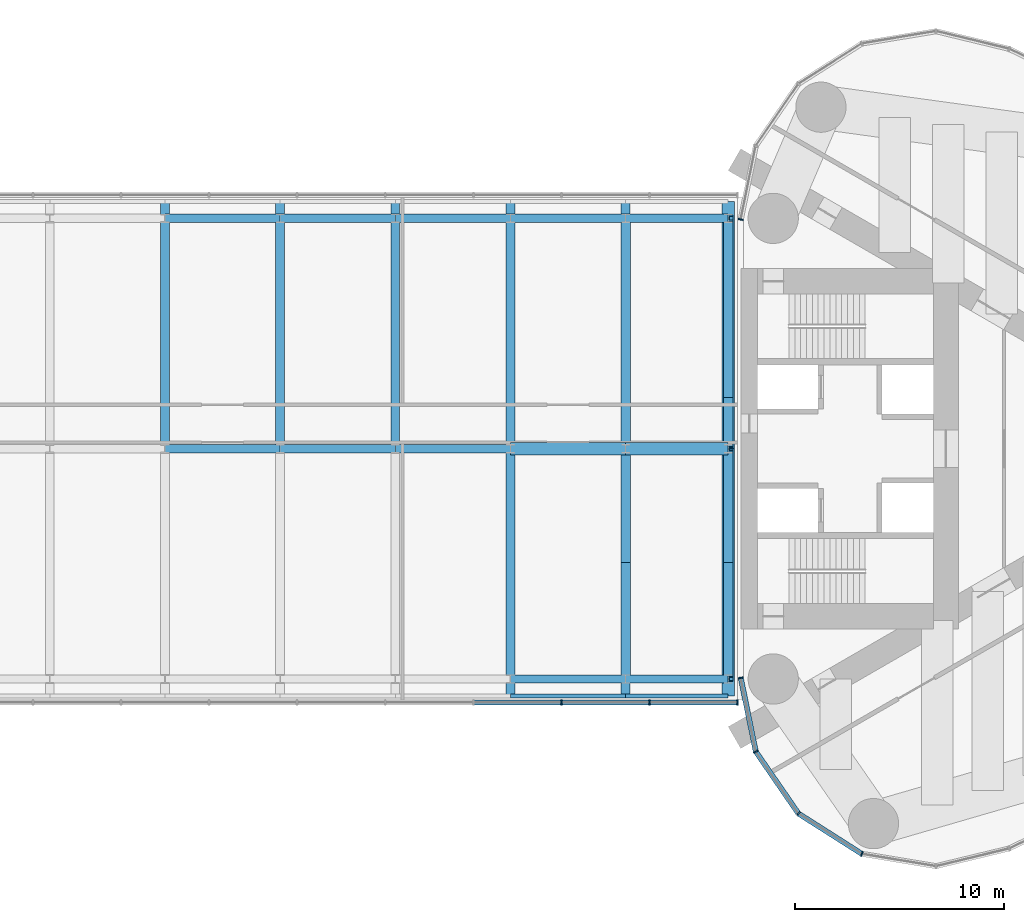
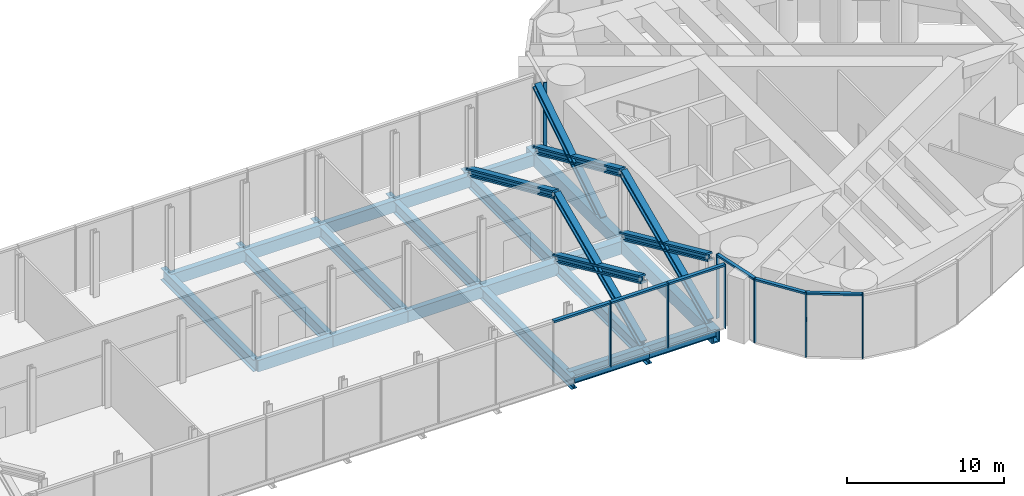
# One storey, part 8 of 19: 23 beams, 21 members, 2 elements without a shape of their own.
"""IFC4 building model written with IfcOpenShell, lengths in metres."""

from ifc_helpers import new_model, si_unit, direction, frame, origin, origin_2d, place, context, subcontext, project, spatial, rectangle, hollow_rectangle, i_section, extrude, material, material_profile, profile_set, type_object, element, aggregate, save


model = new_model("IFC4")

# Units and contexts
model_context = context("Model", 3, precision=1e-05, world=origin(), true_north=direction((0.0, 1.0)))
body_context = subcontext(model_context, "Body", "Model", "MODEL_VIEW")
ifc_project = project(units=[si_unit("LENGTHUNIT", "METRE"), si_unit("AREAUNIT", "SQUARE_METRE"), si_unit("VOLUMEUNIT", "CUBIC_METRE"), si_unit("PLANEANGLEUNIT", "RADIAN"), si_unit("MASSUNIT", "GRAM", prefix="KILO")], contexts=[model_context])

# Site, building, storey
site_placement = place(None, origin())
site = spatial("IfcSite", under=ifc_project, at=site_placement, CompositionType="ELEMENT")
building_placement = place(site_placement, origin())
building = spatial("IfcBuilding", under=site, at=building_placement, Name="Lancet Gate Hotel", CompositionType="ELEMENT")
storey_placement = place(building_placement, frame((0.0, 0.0, 263.300048828125)))
storey = spatial("IfcBuildingStorey", under=building, at=storey_placement, Name="L69", CompositionType="ELEMENT", Elevation=263.300048828125)

# Curtain wall, members
ifc_material_1 = material(Name="Aluminium curtain wall", Category="aluminium")
curtain_wall_type = type_object("IfcCurtainWallType", Name="Lantern crown glazing", PredefinedType="USERDEFINED", material=ifc_material_1)
curtain_wall_1_placement = place(storey_placement, origin())
curtain_wall_1 = element("IfcCurtainWall", 1, at=curtain_wall_1_placement, inside=storey, type_object=curtain_wall_type, Name="T2 L69 curtain wall 1", ObjectType="LANTERN GLAZING", PredefinedType="USERDEFINED")
ifc_material_2 = material(Name="Aluminium mullion", Category="aluminium")
ifc_material_profile_1 = material_profile(ifc_material_2, rectangle(XDim=0.06494140625, YDim=0.25, at=origin_2d()), Name="MULLION 65x250")
ifc_profile_set_1 = profile_set([ifc_material_profile_1], Name="Aluminium mullion")
member_type_1 = type_object("IfcMemberType", Name="Aluminium mullion 65x250", PredefinedType="MULLION", material=ifc_profile_set_1)
member_1_placement = place(storey_placement, frame((27.5, -10.947998046875, 0.0), z_axis=(0.0, 0.0, 1.0), x_axis=(0.199533486841, -0.979891008036, 0.0)))
member_1 = element("IfcMember", 2, at=member_1_placement, type_object=member_type_1, Name="T2 L69 curtain wall 1 mullion 1", PredefinedType="MULLION", context=body_context, shape_type="SweptSolid", body=[
    extrude(rectangle(XDim=0.06494140625, YDim=0.25, at=origin_2d()), origin(), (0.0, 0.0, 1.0), 5.0),
])
member_2_placement = place(storey_placement, frame((28.216552734375, -14.467529296875, 0.0), z_axis=(0.0, 0.0, 1.0), x_axis=(0.391042139098, -0.920372775265, 0.0)))
member_2 = element("IfcMember", 3, at=member_2_placement, type_object=member_type_1, Name="T2 L69 curtain wall 1 mullion 2", PredefinedType="MULLION", context=body_context, shape_type="SweptSolid", body=[
    extrude(rectangle(XDim=0.06494140625, YDim=0.25, at=origin_2d()), origin(), (0.0, 0.0, 1.0), 5.0),
])
member_3_placement = place(storey_placement, frame((30.25244140625, -17.42626953125, 0.0), z_axis=(0.0, 0.0, 1.0), x_axis=(0.719809077627, -0.694172090886, 0.0)))
member_3 = element("IfcMember", 4, at=member_3_placement, type_object=member_type_1, Name="T2 L69 curtain wall 1 mullion 3", PredefinedType="MULLION", context=body_context, shape_type="SweptSolid", body=[
    extrude(rectangle(XDim=0.06494140625, YDim=0.25, at=origin_2d()), origin(), (0.0, 0.0, 1.0), 5.0),
])
member_4_placement = place(storey_placement, frame((33.283203125, -19.353515625, 0.0), z_axis=(0.0, 0.0, 1.0), x_axis=(0.93394321776, -0.357421412343, 0.0)))
member_4 = element("IfcMember", 5, at=member_4_placement, type_object=member_type_1, Name="T2 L69 curtain wall 1 mullion 4", PredefinedType="MULLION", context=body_context, shape_type="SweptSolid", body=[
    extrude(rectangle(XDim=0.06494140625, YDim=0.25, at=origin_2d()), origin(), (0.0, 0.0, 1.0), 5.0),
])
member_5_placement = place(storey_placement, frame((27.5, 10.947998046875, 0.0), z_axis=(0.0, 0.0, 1.0), x_axis=(-0.199533486841, -0.979891008036, 0.0)))
member_5 = element("IfcMember", 6, at=member_5_placement, type_object=member_type_1, Name="T2 L69 curtain wall 1 mullion 27", PredefinedType="MULLION", context=body_context, shape_type="SweptSolid", body=[
    extrude(rectangle(XDim=0.06494140625, YDim=0.25, at=origin_2d()), origin(), (0.0, 0.0, 1.0), 5.0),
])

curtain_wall_2_placement = place(storey_placement, origin())
curtain_wall_2 = element("IfcCurtainWall", 7, at=curtain_wall_2_placement, inside=storey, type_object=curtain_wall_type, Name="Bridge block L69 curtain wall S", ObjectType="LANTERN GLAZING", PredefinedType="USERDEFINED")
member_6_placement = place(storey_placement, frame((18.9345703125, -12.1201171875, 0.0), z_axis=(0.0, 0.0, 1.0), x_axis=(1.0, 0.0, 0.0)))
member_6 = element("IfcMember", 8, at=member_6_placement, type_object=member_type_1, Name="Bridge block L69 curtain wall S mullion 12", PredefinedType="MULLION", context=body_context, shape_type="SweptSolid", body=[
    extrude(rectangle(XDim=0.06494140625, YDim=0.25, at=origin_2d()), origin(), (0.0, 0.0, 1.0), 5.0),
])
member_7_placement = place(storey_placement, frame((23.142333984375, -12.1201171875, 0.0), z_axis=(0.0, 0.0, 1.0), x_axis=(1.0, 0.0, 0.0)))
member_7 = element("IfcMember", 9, at=member_7_placement, type_object=member_type_1, Name="Bridge block L69 curtain wall S mullion 13", PredefinedType="MULLION", context=body_context, shape_type="SweptSolid", body=[
    extrude(rectangle(XDim=0.06494140625, YDim=0.25, at=origin_2d()), origin(), (0.0, 0.0, 1.0), 5.0),
])
member_8_placement = place(storey_placement, frame((27.35009765625, -12.1201171875, 0.0), z_axis=(0.0, 0.0, 1.0), x_axis=(1.0, 0.0, 0.0)))
member_8 = element("IfcMember", 10, at=member_8_placement, type_object=member_type_1, Name="Bridge block L69 curtain wall S mullion 14", PredefinedType="MULLION", context=body_context, shape_type="SweptSolid", body=[
    extrude(rectangle(XDim=0.06494140625, YDim=0.25, at=origin_2d()), origin(), (0.0, 0.0, 1.0), 5.0),
])

# Member
ifc_material_3 = material(Name="Aluminium transom", Category="aluminium")
ifc_material_profile_2 = material_profile(ifc_material_3, rectangle(XDim=0.25, YDim=0.14990234375, at=origin_2d()), Name="TRANSOM 250x150")
ifc_profile_set_2 = profile_set([ifc_material_profile_2], Name="Aluminium transom")
member_type_2 = type_object("IfcMemberType", Name="Aluminium transom 250x150", PredefinedType="USERDEFINED", material=ifc_profile_set_2)
member_9_placement = place(storey_placement, frame((27.506591796875, -10.97998046875, 4.925048828125), z_axis=(0.19952323725, -0.979893095086, 0.0), x_axis=(0.979893095086, 0.19952323725, 0.0)))
member_9 = element("IfcMember", 11, at=member_9_placement, type_object=member_type_2, Name="T2 L69 curtain wall 1 transom 1", ObjectType="TRANSOM", PredefinedType="USERDEFINED", context=body_context, shape_type="SweptSolid", body=[
    extrude(rectangle(XDim=0.25, YDim=0.14990234375, at=origin_2d()), origin(), (0.0, 0.0, 1.0), 3.5263671875),
])

member_10_placement = place(storey_placement, frame((28.235107421875, -14.494140625, 4.925048828125), z_axis=(0.566813768052, -0.82384595183, 0.0), x_axis=(0.82384595183, 0.566813768052, 0.0)))
member_10 = element("IfcMember", 12, at=member_10_placement, type_object=member_type_2, Name="T2 L69 curtain wall 1 transom 2", ObjectType="TRANSOM", PredefinedType="USERDEFINED", context=body_context, shape_type="SweptSolid", body=[
    extrude(rectangle(XDim=0.25, YDim=0.14990234375, at=origin_2d()), origin(), (0.0, 0.0, 1.0), 3.52685546875),
])

member_11_placement = place(storey_placement, frame((30.27978515625, -17.44384765625, 4.925048828125), z_axis=(0.84385811281, -0.536566384938, 0.0), x_axis=(0.536566384938, 0.84385811281, 0.0)))
member_11 = element("IfcMember", 13, at=member_11_placement, type_object=member_type_2, Name="T2 L69 curtain wall 1 transom 3", ObjectType="TRANSOM", PredefinedType="USERDEFINED", context=body_context, shape_type="SweptSolid", body=[
    extrude(rectangle(XDim=0.25, YDim=0.14990234375, at=origin_2d()), origin(), (0.0, 0.0, 1.0), 3.52685546875),
])

aggregate(curtain_wall_1, [member_1, member_2, member_3, member_4, member_5, member_9, member_10, member_11])

member_12_placement = place(storey_placement, frame((14.759521484375, -12.1201171875, 4.925048828125), z_axis=(1.0, 0.0, 0.0), x_axis=(0.0, 1.0, 0.0)))
member_12 = element("IfcMember", 14, at=member_12_placement, type_object=member_type_2, Name="Bridge block L69 curtain wall S transom 11", ObjectType="TRANSOM", PredefinedType="USERDEFINED", context=body_context, shape_type="SweptSolid", body=[
    extrude(rectangle(XDim=0.25, YDim=0.14990234375, at=origin_2d()), origin(), (0.0, 0.0, 1.0), 4.142578125),
])

member_13_placement = place(storey_placement, frame((18.967041015625, -12.1201171875, 4.925048828125), z_axis=(1.0, 0.0, 0.0), x_axis=(0.0, 1.0, 0.0)))
member_13 = element("IfcMember", 15, at=member_13_placement, type_object=member_type_2, Name="Bridge block L69 curtain wall S transom 12", ObjectType="TRANSOM", PredefinedType="USERDEFINED", context=body_context, shape_type="SweptSolid", body=[
    extrude(rectangle(XDim=0.25, YDim=0.14990234375, at=origin_2d()), origin(), (0.0, 0.0, 1.0), 4.142822265625),
])

member_14_placement = place(storey_placement, frame((23.1748046875, -12.1201171875, 4.925048828125), z_axis=(1.0, 0.0, 0.0), x_axis=(0.0, 1.0, 0.0)))
member_14 = element("IfcMember", 16, at=member_14_placement, type_object=member_type_2, Name="Bridge block L69 curtain wall S transom 13", ObjectType="TRANSOM", PredefinedType="USERDEFINED", context=body_context, shape_type="SweptSolid", body=[
    extrude(rectangle(XDim=0.25, YDim=0.14990234375, at=origin_2d()), origin(), (0.0, 0.0, 1.0), 4.142578125),
])

aggregate(curtain_wall_2, [member_6, member_7, member_8, member_12, member_13, member_14])

# Members
ifc_material_4 = material(Name="Steel S460", Category="steel")
ifc_material_profile_3 = material_profile(ifc_material_4, i_section(OverallWidth=0.4541015625, OverallDepth=0.569091796875, WebThickness=0.077880859375, FlangeThickness=0.125, FilletRadius=0.02001953125, at=origin_2d()), Name="HD 400x1086")
ifc_profile_set_3 = profile_set([ifc_material_profile_3], Name="Steel S460")
member_type_3 = type_object("IfcMemberType", Name="Block brace HD 400x1086", PredefinedType="BRACE", material=ifc_profile_set_3)
member_15_placement = place(storey_placement, frame((26.89990234375, -11.0, 0.0), z_axis=(0.0, 0.913471794333, 0.406902053273), x_axis=(-1.0, 0.0, 0.0)))
element("IfcMember", 17, at=member_15_placement, inside=storey, type_object=member_type_3, Name="Block brace EY11 L69", PredefinedType="BRACE", context=body_context, shape_type="SweptSolid", body=[
    extrude(i_section(OverallWidth=0.4541015625, OverallDepth=0.569091796875, WebThickness=0.077880859375, FlangeThickness=0.125, FilletRadius=0.02001953125, at=origin_2d()), origin(), (0.0, 0.0, 1.0), 12.0419921875),
])
member_16_placement = place(storey_placement, frame((26.89990234375, 0.0, 0.0), z_axis=(0.0, -0.910366477463, 0.413802944301), x_axis=(1.0, 0.0, 0.0)))
element("IfcMember", 18, at=member_16_placement, inside=storey, type_object=member_type_3, Name="Block brace EY12 L69", PredefinedType="BRACE", context=body_context, shape_type="SweptSolid", body=[
    extrude(i_section(OverallWidth=0.4541015625, OverallDepth=0.569091796875, WebThickness=0.077880859375, FlangeThickness=0.125, FilletRadius=0.02001953125, at=origin_2d()), origin(), (0.0, 0.0, 1.0), 12.0830078125),
])
for number, where, z_axis, x_axis, name in (
    (19, (26.89990234375, 11.0, 0.0), (0.0, -0.913471794333, 0.406902053273), (1.0, 0.0, 0.0), "Block brace EY22 L69"),
    (20, (22.0, -11.0, 0.0), (0.0, 0.913471794333, 0.406902053273), (-1.0, 0.0, 0.0), "Block brace EI11 L69"),
):
    element("IfcMember", number, at=place(storey_placement, frame(where, z_axis=z_axis, x_axis=x_axis)), inside=storey, type_object=member_type_3, Name=name, PredefinedType="BRACE", context=body_context, shape_type="SweptSolid", body=[
        extrude(i_section(OverallWidth=0.4541015625, OverallDepth=0.569091796875, WebThickness=0.077880859375, FlangeThickness=0.125, FilletRadius=0.02001953125, at=origin_2d()), origin(), (0.0, 0.0, 1.0), 12.0419921875),
    ])
member_17_placement = place(storey_placement, frame((22.0, 0.0, 0.0), z_axis=(0.0, -0.910366477463, 0.413802944301), x_axis=(1.0, 0.0, 0.0)))
element("IfcMember", 21, at=member_17_placement, inside=storey, type_object=member_type_3, Name="Block brace EI12 L69", PredefinedType="BRACE", context=body_context, shape_type="SweptSolid", body=[
    extrude(i_section(OverallWidth=0.4541015625, OverallDepth=0.569091796875, WebThickness=0.077880859375, FlangeThickness=0.125, FilletRadius=0.02001953125, at=origin_2d()), origin(), (0.0, 0.0, 1.0), 12.0830078125),
])
member_18_placement = place(storey_placement, frame((22.0, 11.0, 0.0), z_axis=(0.0, -0.913471794333, 0.406902053273), x_axis=(1.0, 0.0, 0.0)))
element("IfcMember", 22, at=member_18_placement, inside=storey, type_object=member_type_3, Name="Block brace EI22 L69", PredefinedType="BRACE", context=body_context, shape_type="SweptSolid", body=[
    extrude(i_section(OverallWidth=0.4541015625, OverallDepth=0.569091796875, WebThickness=0.077880859375, FlangeThickness=0.125, FilletRadius=0.02001953125, at=origin_2d()), origin(), (0.0, 0.0, 1.0), 12.0419921875),
])
member_19_placement = place(storey_placement, frame((26.89990234375, 2.60009765625, -0.300048828125), z_axis=(0.0, 0.845723043987, 0.533622088064), x_axis=(-1.0, 0.0, 0.0)))
element("IfcMember", 23, at=member_19_placement, inside=storey, type_object=member_type_3, Name="Block brace EY23 L69", PredefinedType="BRACE", context=body_context, shape_type="SweptSolid", body=[
    extrude(i_section(OverallWidth=0.4541015625, OverallDepth=0.569091796875, WebThickness=0.077880859375, FlangeThickness=0.125, FilletRadius=0.02001953125, at=origin_2d()), origin(), (0.0, 0.0, 1.0), 9.93212890625),
])

# Beams
ifc_material_5 = material(Name="Steel S355", Category="steel")
ifc_material_profile_4 = material_profile(ifc_material_5, i_section(OverallWidth=0.19140625, OverallDepth=0.4599609375, WebThickness=0.010009765625, FlangeThickness=0.01611328125, FilletRadius=0.01025390625, at=origin_2d()), Name="UKB 457x191x82")
ifc_profile_set_4 = profile_set([ifc_material_profile_4], Name="Steel S355")
beam_type_1 = type_object("IfcBeamType", Name="Block edge beam UKB 457x191x82", PredefinedType="SPANDREL", material=ifc_profile_set_4)
beam_1_placement = place(storey_placement, frame((16.5, -11.800048828125, -0.429931640625), z_axis=(1.0, 0.0, 0.0), x_axis=(0.0, 1.0, 0.0)))
element("IfcBeam", 24, at=beam_1_placement, inside=storey, type_object=beam_type_1, Name="Block edge beam S 8-9 L69", PredefinedType="SPANDREL", context=body_context, shape_type="SweptSolid", body=[
    extrude(i_section(OverallWidth=0.19140625, OverallDepth=0.4599609375, WebThickness=0.010009765625, FlangeThickness=0.01611328125, FilletRadius=0.01025390625, at=origin_2d()), origin(), (0.0, 0.0, 1.0), 5.5),
])
beam_2_placement = place(storey_placement, frame((22.0, -11.800048828125, -0.429931640625), z_axis=(1.0, 0.0, 0.0), x_axis=(0.0, 1.0, 0.0)))
element("IfcBeam", 25, at=beam_2_placement, inside=storey, type_object=beam_type_1, Name="Block edge beam S 9-10 L69", PredefinedType="SPANDREL", context=body_context, shape_type="SweptSolid", body=[
    extrude(i_section(OverallWidth=0.19140625, OverallDepth=0.4599609375, WebThickness=0.010009765625, FlangeThickness=0.01611328125, FilletRadius=0.01025390625, at=origin_2d()), origin(), (0.0, 0.0, 1.0), 4.89990234375),
])
ifc_material_6 = material(Name="Steel S460QL", Category="steel")
ifc_material_profile_5 = material_profile(ifc_material_6, hollow_rectangle(XDim=0.60009765625, YDim=1.0, WallThickness=0.10009765625, at=origin_2d()), Name="BOX 1000x600x100")
ifc_profile_set_5 = profile_set([ifc_material_profile_5], Name="Steel S460QL")
beam_type_2 = type_object("IfcBeamType", Name="Block end beam BOX 1000x600x100", PredefinedType="BEAM", material=ifc_profile_set_5)
for number, where, z_axis, x_axis, name in (
    (26, (26.89990234375, -11.800048828125, -0.699951171875), (0.0, 1.0, 0.0), (-1.0, 0.0, 0.0), "Block beam x10 S L69"),
    (27, (26.89990234375, 0.0, -0.699951171875), (0.0, 1.0, 0.0), (-1.0, 0.0, 0.0), "Block beam x10 N L69"),
):
    element("IfcBeam", number, at=place(storey_placement, frame(where, z_axis=z_axis, x_axis=x_axis)), inside=storey, type_object=beam_type_2, Name=name, PredefinedType="BEAM", context=body_context, shape_type="SweptSolid", body=[
        extrude(hollow_rectangle(XDim=0.60009765625, YDim=1.0, WallThickness=0.10009765625, at=origin_2d()), origin(), (0.0, 0.0, 1.0), 11.800048828125),
    ])
ifc_material_7 = material(Name="Steel S355", Category="steel")
ifc_material_profile_6 = material_profile(ifc_material_7, i_section(OverallWidth=0.42041015625, OverallDepth=0.9208984375, WebThickness=0.021484375, FlangeThickness=0.03662109375, FilletRadius=0.024169921875, at=origin_2d()), Name="UKB 914x419x388")
ifc_profile_set_6 = profile_set([ifc_material_profile_6], Name="Steel S355")
beam_type_3 = type_object("IfcBeamType", Name="Block plant floor beam UKB 914x419x388", PredefinedType="JOIST", material=ifc_profile_set_6)
for number, where, z_axis, x_axis, name in (
    (28, (0.0, 0.0, -0.66064453125), (0.0, 1.0, 0.0), (-1.0, 0.0, 0.0), "Block beam x5 N L69"),
    (29, (5.5, 0.0, -0.66064453125), (0.0, 1.0, 0.0), (-1.0, 0.0, 0.0), "Block beam x6 N L69"),
    (30, (11.0, 0.0, -0.66064453125), (0.0, 1.0, 0.0), (-1.0, 0.0, 0.0), "Block beam x7 N L69"),
    (31, (16.5, -11.800048828125, -0.66064453125), (0.0, 1.0, 0.0), (-1.0, 0.0, 0.0), "Block beam x8 S L69"),
    (32, (16.5, 0.0, -0.66064453125), (0.0, 1.0, 0.0), (-1.0, 0.0, 0.0), "Block beam x8 N L69"),
    (33, (22.0, -11.800048828125, -0.66064453125), (0.0, 1.0, 0.0), (-1.0, 0.0, 0.0), "Block beam x9 S L69"),
    (34, (22.0, 0.0, -0.66064453125), (0.0, 1.0, 0.0), (-1.0, 0.0, 0.0), "Block beam x9 N L69"),
):
    element("IfcBeam", number, at=place(storey_placement, frame(where, z_axis=z_axis, x_axis=x_axis)), inside=storey, type_object=beam_type_3, Name=name, PredefinedType="JOIST", context=body_context, shape_type="SweptSolid", body=[
        extrude(i_section(OverallWidth=0.42041015625, OverallDepth=0.9208984375, WebThickness=0.021484375, FlangeThickness=0.03662109375, FilletRadius=0.024169921875, at=origin_2d()), origin(), (0.0, 0.0, 1.0), 11.800048828125),
    ])
ifc_material_8 = material(Name="Steel S460QL", Category="steel")
ifc_material_profile_7 = material_profile(ifc_material_8, hollow_rectangle(XDim=0.60009765625, YDim=1.0, WallThickness=0.080078125, at=origin_2d()), Name="BOX 1000x600x80")
ifc_profile_set_7 = profile_set([ifc_material_profile_7], Name="Steel S460QL")
beam_type_4 = type_object("IfcBeamType", Name="Block primary beam BOX 1000x600x80", PredefinedType="BEAM", material=ifc_profile_set_7)
beam_3_placement = place(storey_placement, frame((16.5, 0.0, -0.699951171875), z_axis=(1.0, 0.0, 0.0), x_axis=(0.0, 1.0, 0.0)))
element("IfcBeam", 35, at=beam_3_placement, inside=storey, type_object=beam_type_4, Name="Block primary beam M 9 L69", PredefinedType="BEAM", context=body_context, shape_type="SweptSolid", body=[
    extrude(hollow_rectangle(XDim=0.60009765625, YDim=1.0, WallThickness=0.080078125, at=origin_2d()), origin(), (0.0, 0.0, 1.0), 5.5),
])
beam_4_placement = place(storey_placement, frame((22.0, 0.0, -0.699951171875), z_axis=(1.0, 0.0, 0.0), x_axis=(0.0, 1.0, 0.0)))
element("IfcBeam", 36, at=beam_4_placement, inside=storey, type_object=beam_type_4, Name="Block primary beam M 10 L69", PredefinedType="BEAM", context=body_context, shape_type="SweptSolid", body=[
    extrude(hollow_rectangle(XDim=0.60009765625, YDim=1.0, WallThickness=0.080078125, at=origin_2d()), origin(), (0.0, 0.0, 1.0), 4.89990234375),
])
ifc_material_9 = material(Name="Steel S355", Category="steel")
ifc_material_profile_8 = material_profile(ifc_material_9, hollow_rectangle(XDim=0.39990234375, YDim=0.89990234375, WallThickness=0.0400390625, at=origin_2d()), Name="BOX 900x400x40")
ifc_profile_set_8 = profile_set([ifc_material_profile_8], Name="Steel S355")
beam_type_5 = type_object("IfcBeamType", Name="Block primary beam BOX 900x400x40", PredefinedType="BEAM", material=ifc_profile_set_8)
beam_5_placement = place(storey_placement, frame((16.5, -11.0, -0.650146484375), z_axis=(1.0, 0.0, 0.0), x_axis=(0.0, 1.0, 0.0)))
element("IfcBeam", 37, at=beam_5_placement, inside=storey, type_object=beam_type_5, Name="Block primary beam S 9 L69", PredefinedType="BEAM", context=body_context, shape_type="SweptSolid", body=[
    extrude(hollow_rectangle(XDim=0.39990234375, YDim=0.89990234375, WallThickness=0.0400390625, at=origin_2d()), origin(), (0.0, 0.0, 1.0), 5.5),
])
beam_6_placement = place(storey_placement, frame((22.0, -11.0, -0.650146484375), z_axis=(1.0, 0.0, 0.0), x_axis=(0.0, 1.0, 0.0)))
element("IfcBeam", 38, at=beam_6_placement, inside=storey, type_object=beam_type_5, Name="Block primary beam S 10 L69", PredefinedType="BEAM", context=body_context, shape_type="SweptSolid", body=[
    extrude(hollow_rectangle(XDim=0.39990234375, YDim=0.89990234375, WallThickness=0.0400390625, at=origin_2d()), origin(), (0.0, 0.0, 1.0), 4.89990234375),
])
for number, where, z_axis, x_axis, name in (
    (39, (0.0, 0.0, -0.650146484375), (1.0, 0.0, 0.0), (0.0, 1.0, 0.0), "Block primary beam M 6 L69"),
    (40, (5.5, 0.0, -0.650146484375), (1.0, 0.0, 0.0), (0.0, 1.0, 0.0), "Block primary beam M 7 L69"),
    (41, (11.0, 0.0, -0.650146484375), (1.0, 0.0, 0.0), (0.0, 1.0, 0.0), "Block primary beam M 8 L69"),
    (42, (0.0, 11.0, -0.650146484375), (1.0, 0.0, 0.0), (0.0, 1.0, 0.0), "Block primary beam N 6 L69"),
    (43, (5.5, 11.0, -0.650146484375), (1.0, 0.0, 0.0), (0.0, 1.0, 0.0), "Block primary beam N 7 L69"),
    (44, (11.0, 11.0, -0.650146484375), (1.0, 0.0, 0.0), (0.0, 1.0, 0.0), "Block primary beam N 8 L69"),
    (45, (16.5, 11.0, -0.650146484375), (1.0, 0.0, 0.0), (0.0, 1.0, 0.0), "Block primary beam N 9 L69"),
):
    element("IfcBeam", number, at=place(storey_placement, frame(where, z_axis=z_axis, x_axis=x_axis)), inside=storey, type_object=beam_type_5, Name=name, PredefinedType="BEAM", context=body_context, shape_type="SweptSolid", body=[
        extrude(hollow_rectangle(XDim=0.39990234375, YDim=0.89990234375, WallThickness=0.0400390625, at=origin_2d()), origin(), (0.0, 0.0, 1.0), 5.5),
    ])
beam_7_placement = place(storey_placement, frame((22.0, 11.0, -0.650146484375), z_axis=(1.0, 0.0, 0.0), x_axis=(0.0, 1.0, 0.0)))
element("IfcBeam", 46, at=beam_7_placement, inside=storey, type_object=beam_type_5, Name="Block primary beam N 10 L69", PredefinedType="BEAM", context=body_context, shape_type="SweptSolid", body=[
    extrude(hollow_rectangle(XDim=0.39990234375, YDim=0.89990234375, WallThickness=0.0400390625, at=origin_2d()), origin(), (0.0, 0.0, 1.0), 4.89990234375),
])

save(model, "model.ifc")
